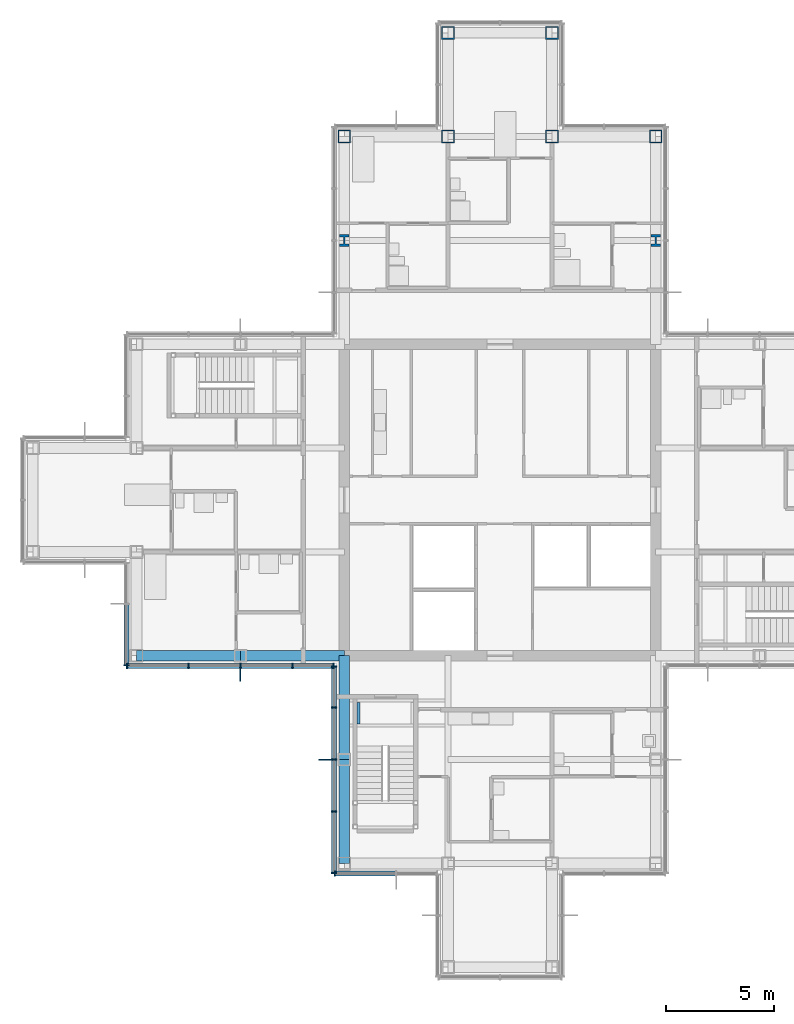
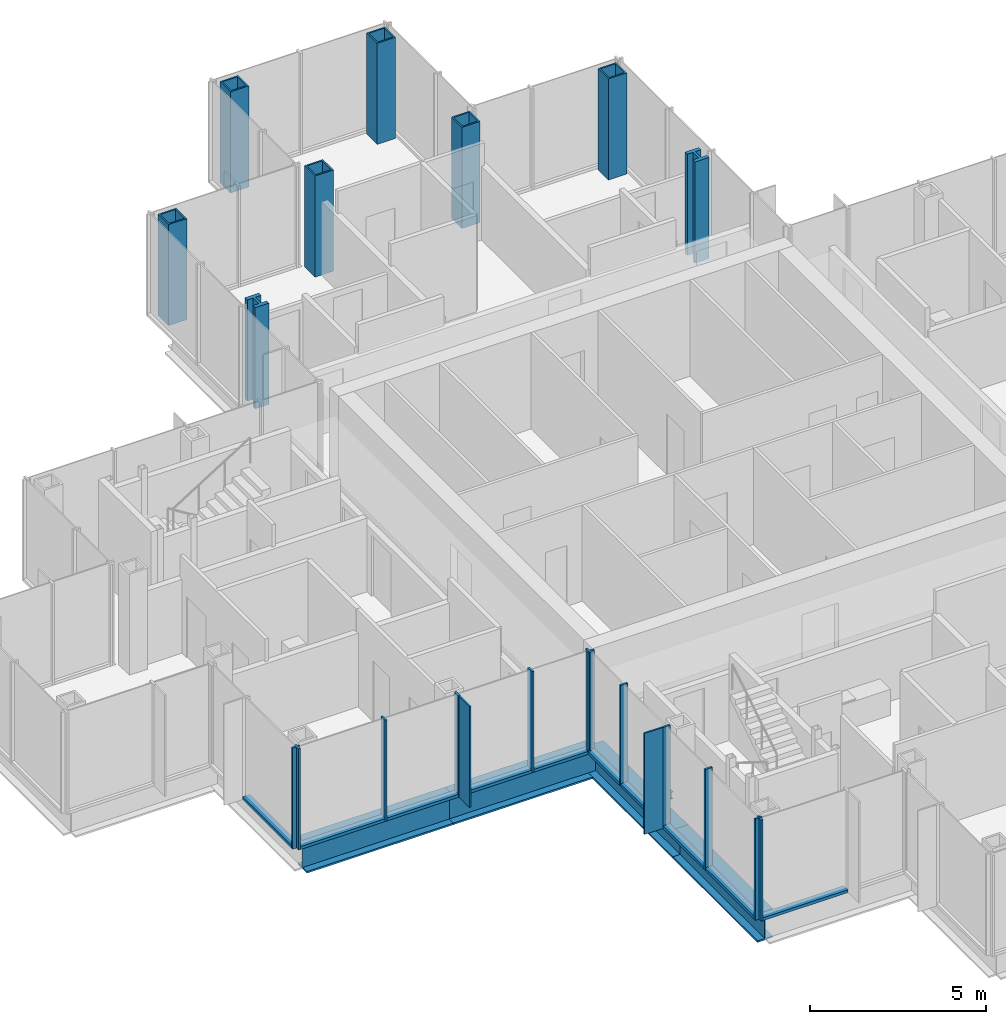
# One storey, part 5 of 17: 24 members, 8 columns, 5 beams, 4 elements without a shape of their own.
"""IFC4 building model written with IfcOpenShell, lengths in metres."""

from ifc_helpers import new_model, si_unit, direction, frame, origin, origin_2d, place, context, subcontext, project, spatial, rectangle, hollow_rectangle, i_section, extrude, material, material_profile, profile_set, type_object, element, aggregate, save


model = new_model("IFC4")

# Units and contexts
model_context = context("Model", 3, precision=1e-05, world=origin(), true_north=direction((0.0, 1.0)))
body_context = subcontext(model_context, "Body", "Model", "MODEL_VIEW")
ifc_project = project(units=[si_unit("LENGTHUNIT", "METRE"), si_unit("AREAUNIT", "SQUARE_METRE"), si_unit("VOLUMEUNIT", "CUBIC_METRE"), si_unit("PLANEANGLEUNIT", "RADIAN"), si_unit("MASSUNIT", "GRAM", prefix="KILO")], contexts=[model_context])

# Site, building, storey
site_placement = place(None, origin())
site = spatial("IfcSite", under=ifc_project, at=site_placement, CompositionType="ELEMENT")
building_placement = place(site_placement, origin())
building = spatial("IfcBuilding", under=site, at=building_placement, Name="Kvirike Care Tower", CompositionType="ELEMENT")
storey_placement = place(building_placement, frame((0.0, 0.0, 151.5)))
storey = spatial("IfcBuildingStorey", under=building, at=storey_placement, Name="L41", CompositionType="ELEMENT", Elevation=151.5)

# Columns
ifc_material_1 = material(Name="Steel S460", Category="steel")
ifc_material_profile_1 = material_profile(ifc_material_1, hollow_rectangle(XDim=0.60009765625, YDim=0.60009765625, WallThickness=0.050048828125, at=origin_2d()), Name="BX 600x600x50")
ifc_profile_set_1 = profile_set([ifc_material_profile_1], Name="Steel S460")
column_type_1 = type_object("IfcColumnType", Name="COLUMN BX 600x600x50", PredefinedType="COLUMN", material=ifc_profile_set_1)
for number, where, z_axis, x_axis, name in (
    (1, (14.39990234375, 52.800048828125, 0.0), (0.0, 0.0, 1.0), (0.0, 1.0, 0.0), "Column M6 L41"),
    (2, (19.199951171875, 52.800048828125, 0.0), (0.0, 0.0, 1.0), (0.0, 1.0, 0.0), "Column M7 L41"),
    (3, (19.199951171875, 57.60009765625, 0.0), (0.0, 0.0, 1.0), (0.0, 1.0, 0.0), "Column N7 L41"),
    (4, (24.0, 52.800048828125, 0.0), (0.0, 0.0, 1.0), (0.0, 1.0, 0.0), "Column M8 L41"),
    (5, (24.0, 57.60009765625, 0.0), (0.0, 0.0, 1.0), (0.0, 1.0, 0.0), "Column N8 L41"),
    (6, (28.800048828125, 52.800048828125, 0.0), (0.0, 0.0, 1.0), (0.0, 1.0, 0.0), "Column M9 L41"),
):
    element("IfcColumn", number, at=place(storey_placement, frame(where, z_axis=z_axis, x_axis=x_axis)), inside=storey, type_object=column_type_1, Name=name, PredefinedType="COLUMN", context=body_context, shape_type="SweptSolid", body=[
        extrude(hollow_rectangle(XDim=0.60009765625, YDim=0.60009765625, WallThickness=0.050048828125, at=origin_2d()), origin(), (0.0, 0.0, 1.0), 3.5),
    ])
ifc_material_2 = material(Name="Steel S460", Category="steel")
ifc_material_profile_2 = material_profile(ifc_material_2, i_section(OverallWidth=0.4541015625, OverallDepth=0.569091796875, WebThickness=0.077880859375, FlangeThickness=0.125, FilletRadius=0.014892578125, at=origin_2d()), Name="HD 400x1086")
ifc_profile_set_2 = profile_set([ifc_material_profile_2], Name="Steel S460")
column_type_2 = type_object("IfcColumnType", Name="COLUMN HD 400x1086", PredefinedType="COLUMN", material=ifc_profile_set_2)
for number, where, z_axis, x_axis, name in (
    (7, (14.39990234375, 48.0, 0.0), (0.0, 0.0, 1.0), (1.0, 0.0, 0.0), "Column L6 L41"),
    (8, (28.800048828125, 48.0, 0.0), (0.0, 0.0, 1.0), (1.0, 0.0, 0.0), "Column L9 L41"),
):
    element("IfcColumn", number, at=place(storey_placement, frame(where, z_axis=z_axis, x_axis=x_axis)), inside=storey, type_object=column_type_2, Name=name, PredefinedType="COLUMN", context=body_context, shape_type="SweptSolid", body=[
        extrude(i_section(OverallWidth=0.4541015625, OverallDepth=0.569091796875, WebThickness=0.077880859375, FlangeThickness=0.125, FilletRadius=0.014892578125, at=origin_2d()), origin(), (0.0, 0.0, 1.0), 3.5),
    ])

# Curtain wall, member
ifc_material_3 = material(Name="Anodised aluminium stick system", Category="aluminium")
curtain_wall_type = type_object("IfcCurtainWallType", Name="CW-C STICK CURTAIN WALL", PredefinedType="NOTDEFINED", material=ifc_material_3)
curtain_wall_1_placement = place(storey_placement, origin())
curtain_wall_1 = element("IfcCurtainWall", 9, at=curtain_wall_1_placement, inside=storey, type_object=curtain_wall_type, Name="Curtain wall L41 face 21", PredefinedType="NOTDEFINED")
ifc_material_4 = material(Name="Bronze anodised aluminium fin", Category="aluminium")
ifc_material_profile_3 = material_profile(ifc_material_4, rectangle(XDim=0.050048828125, YDim=0.60009765625, at=origin_2d()), Name="BRONZE FIN 600")
ifc_profile_set_3 = profile_set([ifc_material_profile_3], Name="Bronze anodised aluminium fin")
member_type_1 = type_object("IfcMemberType", Name="BRONZE FIN 600", PredefinedType="USERDEFINED", material=ifc_profile_set_3)
member_1_placement = place(storey_placement, frame((9.60009765625, 27.909912109375, 0.0), z_axis=(0.0, 0.0, 1.0), x_axis=(1.0, 0.0, 0.0)))
member_1 = element("IfcMember", 10, at=member_1_placement, type_object=member_type_1, Name="Bronze fin L41 face 21.3", ObjectType="FIN", PredefinedType="USERDEFINED", context=body_context, shape_type="SweptSolid", body=[
    extrude(rectangle(XDim=0.050048828125, YDim=0.60009765625, at=origin_2d()), origin(), (0.0, 0.0, 1.0), 3.5),
])

curtain_wall_2_placement = place(storey_placement, origin())
curtain_wall_2 = element("IfcCurtainWall", 11, at=curtain_wall_2_placement, inside=storey, type_object=curtain_wall_type, Name="Curtain wall L41 face 22", PredefinedType="NOTDEFINED")
member_2_placement = place(storey_placement, frame((13.510009765625, 24.0, 0.0), z_axis=(0.0, 0.0, 1.0), x_axis=(0.0, -1.0, 0.0)))
member_2 = element("IfcMember", 12, at=member_2_placement, type_object=member_type_1, Name="Bronze fin L41 face 22.3", ObjectType="FIN", PredefinedType="USERDEFINED", context=body_context, shape_type="SweptSolid", body=[
    extrude(rectangle(XDim=0.050048828125, YDim=0.60009765625, at=origin_2d()), origin(), (0.0, 0.0, 1.0), 3.5),
])

curtain_wall_3_placement = place(storey_placement, origin())
curtain_wall_3 = element("IfcCurtainWall", 13, at=curtain_wall_3_placement, inside=storey, type_object=curtain_wall_type, Name="Curtain wall L41 face 20", PredefinedType="NOTDEFINED")
ifc_material_5 = material(Name="Bronze anodised aluminium mullion", Category="aluminium")
ifc_material_profile_4 = material_profile(ifc_material_5, rectangle(XDim=0.06494140625, YDim=0.239990234375, at=origin_2d()), Name="CW-C MULLION 65x240")
ifc_profile_set_4 = profile_set([ifc_material_profile_4], Name="Bronze anodised aluminium mullion")
member_type_2 = type_object("IfcMemberType", Name="CW-C MULLION 65x240", PredefinedType="MULLION", material=ifc_profile_set_4)
member_3_placement = place(storey_placement, frame((4.330078125, 28.362548828125, 0.0), z_axis=(0.0, 0.0, 1.0), x_axis=(0.0, -1.0, 0.0)))
member_3 = element("IfcMember", 14, at=member_3_placement, type_object=member_type_2, Name="CW-C mullion L41 face 20.3", PredefinedType="MULLION", context=body_context, shape_type="SweptSolid", body=[
    extrude(rectangle(XDim=0.06494140625, YDim=0.239990234375, at=origin_2d()), origin(), (0.0, 0.0, 1.0), 3.5),
])

# Member
member_4_placement = place(storey_placement, frame((4.362548828125, 28.330078125, 0.0), z_axis=(0.0, 0.0, 1.0), x_axis=(1.0, 0.0, 0.0)))
member_4 = element("IfcMember", 15, at=member_4_placement, type_object=member_type_2, Name="CW-C mullion L41 face 21.1", PredefinedType="MULLION", context=body_context, shape_type="SweptSolid", body=[
    extrude(rectangle(XDim=0.06494140625, YDim=0.239990234375, at=origin_2d()), origin(), (0.0, 0.0, 1.0), 3.5),
])

member_5_placement = place(storey_placement, frame((7.199951171875, 28.330078125, 0.0), z_axis=(0.0, 0.0, 1.0), x_axis=(1.0, 0.0, 0.0)))
member_5 = element("IfcMember", 16, at=member_5_placement, type_object=member_type_2, Name="CW-C mullion L41 face 21.2", PredefinedType="MULLION", context=body_context, shape_type="SweptSolid", body=[
    extrude(rectangle(XDim=0.06494140625, YDim=0.239990234375, at=origin_2d()), origin(), (0.0, 0.0, 1.0), 3.5),
])

member_6_placement = place(storey_placement, frame((9.60009765625, 28.330078125, 0.0), z_axis=(0.0, 0.0, 1.0), x_axis=(1.0, 0.0, 0.0)))
member_6 = element("IfcMember", 17, at=member_6_placement, type_object=member_type_2, Name="CW-C mullion L41 face 21.3", PredefinedType="MULLION", context=body_context, shape_type="SweptSolid", body=[
    extrude(rectangle(XDim=0.06494140625, YDim=0.239990234375, at=origin_2d()), origin(), (0.0, 0.0, 1.0), 3.5),
])

member_7_placement = place(storey_placement, frame((12.0, 28.330078125, 0.0), z_axis=(0.0, 0.0, 1.0), x_axis=(1.0, 0.0, 0.0)))
member_7 = element("IfcMember", 18, at=member_7_placement, type_object=member_type_2, Name="CW-C mullion L41 face 21.4", PredefinedType="MULLION", context=body_context, shape_type="SweptSolid", body=[
    extrude(rectangle(XDim=0.06494140625, YDim=0.239990234375, at=origin_2d()), origin(), (0.0, 0.0, 1.0), 3.5),
])

member_8_placement = place(storey_placement, frame((13.8974609375, 28.330078125, 0.0), z_axis=(0.0, 0.0, 1.0), x_axis=(1.0, 0.0, 0.0)))
member_8 = element("IfcMember", 19, at=member_8_placement, type_object=member_type_2, Name="CW-C mullion L41 face 21.5", PredefinedType="MULLION", context=body_context, shape_type="SweptSolid", body=[
    extrude(rectangle(XDim=0.06494140625, YDim=0.239990234375, at=origin_2d()), origin(), (0.0, 0.0, 1.0), 3.5),
])

member_9_placement = place(storey_placement, frame((13.929931640625, 28.297607421875, 0.0), z_axis=(0.0, 0.0, 1.0), x_axis=(0.0, -1.0, 0.0)))
member_9 = element("IfcMember", 20, at=member_9_placement, type_object=member_type_2, Name="CW-C mullion L41 face 22.1", PredefinedType="MULLION", context=body_context, shape_type="SweptSolid", body=[
    extrude(rectangle(XDim=0.06494140625, YDim=0.239990234375, at=origin_2d()), origin(), (0.0, 0.0, 1.0), 3.5),
])

member_10_placement = place(storey_placement, frame((13.929931640625, 26.39990234375, 0.0), z_axis=(0.0, 0.0, 1.0), x_axis=(0.0, -1.0, 0.0)))
member_10 = element("IfcMember", 21, at=member_10_placement, type_object=member_type_2, Name="CW-C mullion L41 face 22.2", PredefinedType="MULLION", context=body_context, shape_type="SweptSolid", body=[
    extrude(rectangle(XDim=0.06494140625, YDim=0.239990234375, at=origin_2d()), origin(), (0.0, 0.0, 1.0), 3.5),
])

member_11_placement = place(storey_placement, frame((13.929931640625, 24.0, 0.0), z_axis=(0.0, 0.0, 1.0), x_axis=(0.0, -1.0, 0.0)))
member_11 = element("IfcMember", 22, at=member_11_placement, type_object=member_type_2, Name="CW-C mullion L41 face 22.3", PredefinedType="MULLION", context=body_context, shape_type="SweptSolid", body=[
    extrude(rectangle(XDim=0.06494140625, YDim=0.239990234375, at=origin_2d()), origin(), (0.0, 0.0, 1.0), 3.5),
])

member_12_placement = place(storey_placement, frame((13.929931640625, 21.60009765625, 0.0), z_axis=(0.0, 0.0, 1.0), x_axis=(0.0, -1.0, 0.0)))
member_12 = element("IfcMember", 23, at=member_12_placement, type_object=member_type_2, Name="CW-C mullion L41 face 22.4", PredefinedType="MULLION", context=body_context, shape_type="SweptSolid", body=[
    extrude(rectangle(XDim=0.06494140625, YDim=0.239990234375, at=origin_2d()), origin(), (0.0, 0.0, 1.0), 3.5),
])

member_13_placement = place(storey_placement, frame((13.929931640625, 18.762451171875, 0.0), z_axis=(0.0, 0.0, 1.0), x_axis=(0.0, -1.0, 0.0)))
member_13 = element("IfcMember", 24, at=member_13_placement, type_object=member_type_2, Name="CW-C mullion L41 face 22.5", PredefinedType="MULLION", context=body_context, shape_type="SweptSolid", body=[
    extrude(rectangle(XDim=0.06494140625, YDim=0.239990234375, at=origin_2d()), origin(), (0.0, 0.0, 1.0), 3.5),
])

# Curtain wall, member
curtain_wall_4_placement = place(storey_placement, origin())
curtain_wall_4 = element("IfcCurtainWall", 25, at=curtain_wall_4_placement, inside=storey, type_object=curtain_wall_type, Name="Curtain wall L41 face 23", PredefinedType="NOTDEFINED")
member_14_placement = place(storey_placement, frame((13.96240234375, 18.72998046875, 0.0), z_axis=(0.0, 0.0, 1.0), x_axis=(1.0, 0.0, 0.0)))
member_14 = element("IfcMember", 26, at=member_14_placement, type_object=member_type_2, Name="CW-C mullion L41 face 23.1", PredefinedType="MULLION", context=body_context, shape_type="SweptSolid", body=[
    extrude(rectangle(XDim=0.06494140625, YDim=0.239990234375, at=origin_2d()), origin(), (0.0, 0.0, 1.0), 3.5),
])

# Member
ifc_material_6 = material(Name="Bronze anodised aluminium transom", Category="aluminium")
ifc_material_profile_5 = material_profile(ifc_material_6, rectangle(XDim=0.239990234375, YDim=0.10009765625, at=origin_2d()), Name="CW-C TRANSOM 240x100")
ifc_profile_set_5 = profile_set([ifc_material_profile_5], Name="Bronze anodised aluminium transom")
member_type_3 = type_object("IfcMemberType", Name="CW-C TRANSOM 240x100", PredefinedType="USERDEFINED", material=ifc_profile_set_5)
member_15_placement = place(storey_placement, frame((4.330078125, 31.16748046875, 0.050048828125), z_axis=(0.0, -1.0, 0.0), x_axis=(1.0, 0.0, 0.0)))
member_15 = element("IfcMember", 27, at=member_15_placement, type_object=member_type_3, Name="CW-C sill transom L41 face 20.2", ObjectType="TRANSOM", PredefinedType="USERDEFINED", context=body_context, shape_type="SweptSolid", body=[
    extrude(rectangle(XDim=0.239990234375, YDim=0.10009765625, at=origin_2d()), origin(), (0.0, 0.0, 1.0), 2.7724609375),
])

aggregate(curtain_wall_3, [member_3, member_15])

member_16_placement = place(storey_placement, frame((4.39501953125, 28.330078125, 0.050048828125), z_axis=(1.0, 0.0, 0.0), x_axis=(0.0, 1.0, 0.0)))
member_16 = element("IfcMember", 28, at=member_16_placement, type_object=member_type_3, Name="CW-C sill transom L41 face 21.1", ObjectType="TRANSOM", PredefinedType="USERDEFINED", context=body_context, shape_type="SweptSolid", body=[
    extrude(rectangle(XDim=0.239990234375, YDim=0.10009765625, at=origin_2d()), origin(), (0.0, 0.0, 1.0), 2.7724609375),
])

member_17_placement = place(storey_placement, frame((7.232421875, 28.330078125, 0.050048828125), z_axis=(1.0, 0.0, 0.0), x_axis=(0.0, 1.0, 0.0)))
member_17 = element("IfcMember", 29, at=member_17_placement, type_object=member_type_3, Name="CW-C sill transom L41 face 21.2", ObjectType="TRANSOM", PredefinedType="USERDEFINED", context=body_context, shape_type="SweptSolid", body=[
    extrude(rectangle(XDim=0.239990234375, YDim=0.10009765625, at=origin_2d()), origin(), (0.0, 0.0, 1.0), 2.3349609375),
])

member_18_placement = place(storey_placement, frame((9.632568359375, 28.330078125, 0.050048828125), z_axis=(1.0, 0.0, 0.0), x_axis=(0.0, 1.0, 0.0)))
member_18 = element("IfcMember", 30, at=member_18_placement, type_object=member_type_3, Name="CW-C sill transom L41 face 21.3", ObjectType="TRANSOM", PredefinedType="USERDEFINED", context=body_context, shape_type="SweptSolid", body=[
    extrude(rectangle(XDim=0.239990234375, YDim=0.10009765625, at=origin_2d()), origin(), (0.0, 0.0, 1.0), 2.3349609375),
])

member_19_placement = place(storey_placement, frame((12.032470703125, 28.330078125, 0.050048828125), z_axis=(1.0, 0.0, 0.0), x_axis=(0.0, 1.0, 0.0)))
member_19 = element("IfcMember", 31, at=member_19_placement, type_object=member_type_3, Name="CW-C sill transom L41 face 21.4", ObjectType="TRANSOM", PredefinedType="USERDEFINED", context=body_context, shape_type="SweptSolid", body=[
    extrude(rectangle(XDim=0.239990234375, YDim=0.10009765625, at=origin_2d()), origin(), (0.0, 0.0, 1.0), 1.83251953125),
])

aggregate(curtain_wall_1, [member_4, member_5, member_6, member_1, member_7, member_8, member_16, member_17, member_18, member_19])

member_20_placement = place(storey_placement, frame((13.929931640625, 28.264892578125, 0.050048828125), z_axis=(0.0, -1.0, 0.0), x_axis=(1.0, 0.0, 0.0)))
member_20 = element("IfcMember", 32, at=member_20_placement, type_object=member_type_3, Name="CW-C sill transom L41 face 22.1", ObjectType="TRANSOM", PredefinedType="USERDEFINED", context=body_context, shape_type="SweptSolid", body=[
    extrude(rectangle(XDim=0.239990234375, YDim=0.10009765625, at=origin_2d()), origin(), (0.0, 0.0, 1.0), 1.832275390625),
])

member_21_placement = place(storey_placement, frame((13.929931640625, 26.367431640625, 0.050048828125), z_axis=(0.0, -1.0, 0.0), x_axis=(1.0, 0.0, 0.0)))
member_21 = element("IfcMember", 33, at=member_21_placement, type_object=member_type_3, Name="CW-C sill transom L41 face 22.2", ObjectType="TRANSOM", PredefinedType="USERDEFINED", context=body_context, shape_type="SweptSolid", body=[
    extrude(rectangle(XDim=0.239990234375, YDim=0.10009765625, at=origin_2d()), origin(), (0.0, 0.0, 1.0), 2.3349609375),
])

member_22_placement = place(storey_placement, frame((13.929931640625, 23.967529296875, 0.050048828125), z_axis=(0.0, -1.0, 0.0), x_axis=(1.0, 0.0, 0.0)))
member_22 = element("IfcMember", 34, at=member_22_placement, type_object=member_type_3, Name="CW-C sill transom L41 face 22.3", ObjectType="TRANSOM", PredefinedType="USERDEFINED", context=body_context, shape_type="SweptSolid", body=[
    extrude(rectangle(XDim=0.239990234375, YDim=0.10009765625, at=origin_2d()), origin(), (0.0, 0.0, 1.0), 2.3349609375),
])

member_23_placement = place(storey_placement, frame((13.929931640625, 21.5673828125, 0.050048828125), z_axis=(0.0, -1.0, 0.0), x_axis=(1.0, 0.0, 0.0)))
member_23 = element("IfcMember", 35, at=member_23_placement, type_object=member_type_3, Name="CW-C sill transom L41 face 22.4", ObjectType="TRANSOM", PredefinedType="USERDEFINED", context=body_context, shape_type="SweptSolid", body=[
    extrude(rectangle(XDim=0.239990234375, YDim=0.10009765625, at=origin_2d()), origin(), (0.0, 0.0, 1.0), 2.7724609375),
])

aggregate(curtain_wall_2, [member_9, member_10, member_11, member_2, member_12, member_13, member_20, member_21, member_22, member_23])

member_24_placement = place(storey_placement, frame((13.9951171875, 18.72998046875, 0.050048828125), z_axis=(1.0, 0.0, 0.0), x_axis=(0.0, 1.0, 0.0)))
member_24 = element("IfcMember", 36, at=member_24_placement, type_object=member_type_3, Name="CW-C sill transom L41 face 23.1", ObjectType="TRANSOM", PredefinedType="USERDEFINED", context=body_context, shape_type="SweptSolid", body=[
    extrude(rectangle(XDim=0.239990234375, YDim=0.10009765625, at=origin_2d()), origin(), (0.0, 0.0, 1.0), 2.7724609375),
])

aggregate(curtain_wall_4, [member_14, member_24])

# Beams
ifc_material_7 = material(Name="Steel S355", Category="steel")
ifc_material_profile_6 = material_profile(ifc_material_7, i_section(OverallWidth=0.5, OverallDepth=1.0, WebThickness=0.030029296875, FlangeThickness=0.06005859375, at=origin_2d()), Name="PG 1000x500x30x60")
ifc_profile_set_6 = profile_set([ifc_material_profile_6], Name="Steel S355")
beam_type_1 = type_object("IfcBeamType", Name="SPANDREL PG 1000x500x30x60", PredefinedType="SPANDREL", material=ifc_profile_set_6)
beam_1_placement = place(storey_placement, frame((4.800048828125, 28.800048828125, -0.669921875), z_axis=(1.0, 0.0, 0.0), x_axis=(0.0, 1.0, 0.0)))
element("IfcBeam", 37, at=beam_1_placement, inside=storey, type_object=beam_type_1, Name="Spandrel G4-G5 L41", PredefinedType="SPANDREL", context=body_context, shape_type="SweptSolid", body=[
    extrude(i_section(OverallWidth=0.5, OverallDepth=1.0, WebThickness=0.030029296875, FlangeThickness=0.06005859375, at=origin_2d()), origin(), (0.0, 0.0, 1.0), 4.800048828125),
])
beam_2_placement = place(storey_placement, frame((9.60009765625, 28.800048828125, -0.669921875), z_axis=(1.0, 0.0, 0.0), x_axis=(0.0, 1.0, 0.0)))
element("IfcBeam", 38, at=beam_2_placement, inside=storey, type_object=beam_type_1, Name="Spandrel G5-G6 L41", PredefinedType="SPANDREL", context=body_context, shape_type="SweptSolid", body=[
    extrude(i_section(OverallWidth=0.5, OverallDepth=1.0, WebThickness=0.030029296875, FlangeThickness=0.06005859375, at=origin_2d()), origin(), (0.0, 0.0, 1.0), 4.7998046875),
])
for number, where, z_axis, x_axis, name in (
    (39, (14.39990234375, 19.199951171875, -0.669921875), (0.0, 1.0, 0.0), (-1.0, 0.0, 0.0), "Spandrel E6-F6 L41"),
    (40, (14.39990234375, 24.0, -0.669921875), (0.0, 1.0, 0.0), (-1.0, 0.0, 0.0), "Spandrel F6-G6 L41"),
):
    element("IfcBeam", number, at=place(storey_placement, frame(where, z_axis=z_axis, x_axis=x_axis)), inside=storey, type_object=beam_type_1, Name=name, PredefinedType="SPANDREL", context=body_context, shape_type="SweptSolid", body=[
        extrude(i_section(OverallWidth=0.5, OverallDepth=1.0, WebThickness=0.030029296875, FlangeThickness=0.06005859375, at=origin_2d()), origin(), (0.0, 0.0, 1.0), 4.800048828125),
    ])
ifc_material_8 = material(Name="Steel S355", Category="steel")
ifc_material_profile_7 = material_profile(ifc_material_8, i_section(OverallWidth=0.1201171875, OverallDepth=0.239990234375, WebThickness=0.006103515625, FlangeThickness=0.009765625, FilletRadius=0.014892578125, at=origin_2d()), Name="IPE 240")
ifc_profile_set_7 = profile_set([ifc_material_profile_7], Name="Steel S355")
beam_type_2 = type_object("IfcBeamType", Name="STAIR LANDING BEAM IPE 240", PredefinedType="BEAM", material=ifc_profile_set_7)
beam_3_placement = place(storey_placement, frame((15.06005859375, 25.64990234375, -0.320068359375), z_axis=(0.0, 1.0, 0.0), x_axis=(-1.0, 0.0, 0.0)))
element("IfcBeam", 41, at=beam_3_placement, inside=storey, type_object=beam_type_2, Name="Stair 5 landing edge beam 1 L41", PredefinedType="BEAM", context=body_context, shape_type="SweptSolid", body=[
    extrude(i_section(OverallWidth=0.1201171875, OverallDepth=0.239990234375, WebThickness=0.006103515625, FlangeThickness=0.009765625, FilletRadius=0.014892578125, at=origin_2d()), origin(), (0.0, 0.0, 1.0), 1.0),
])

save(model, "model.ifc")
